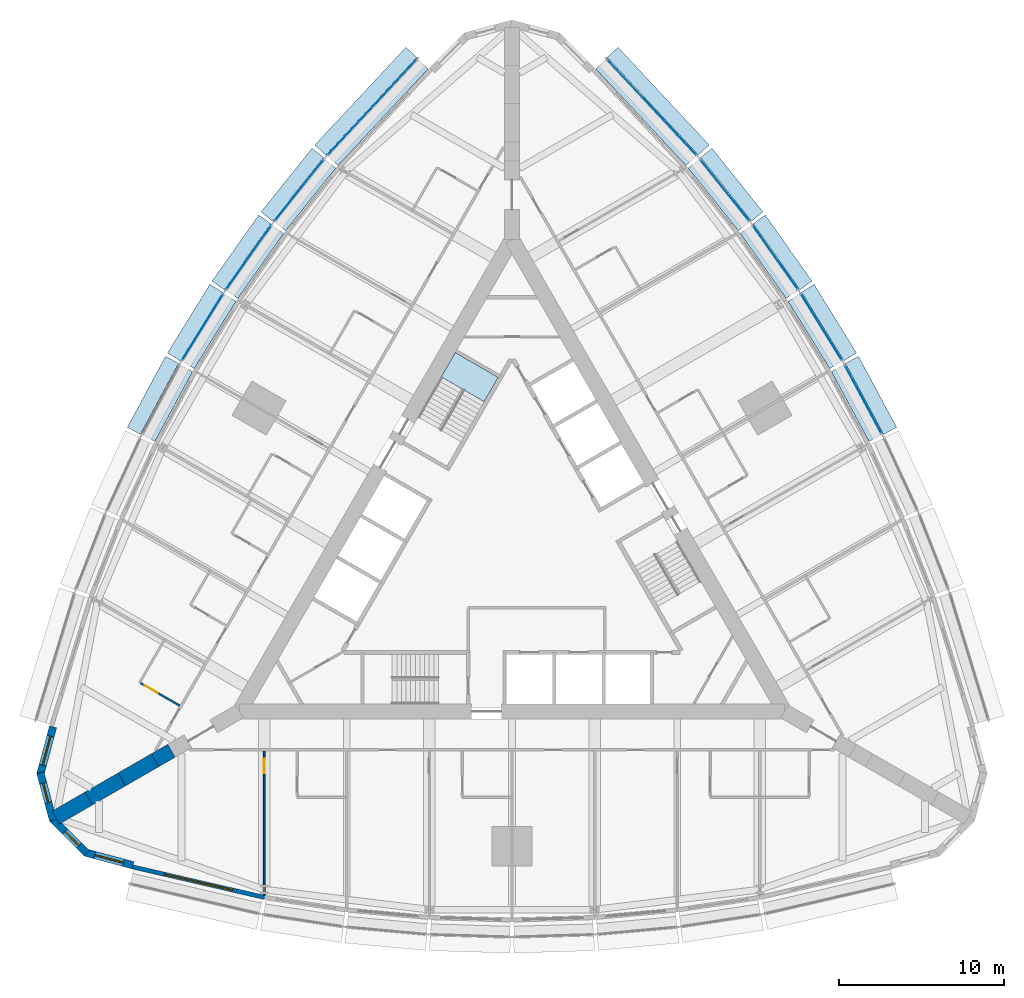
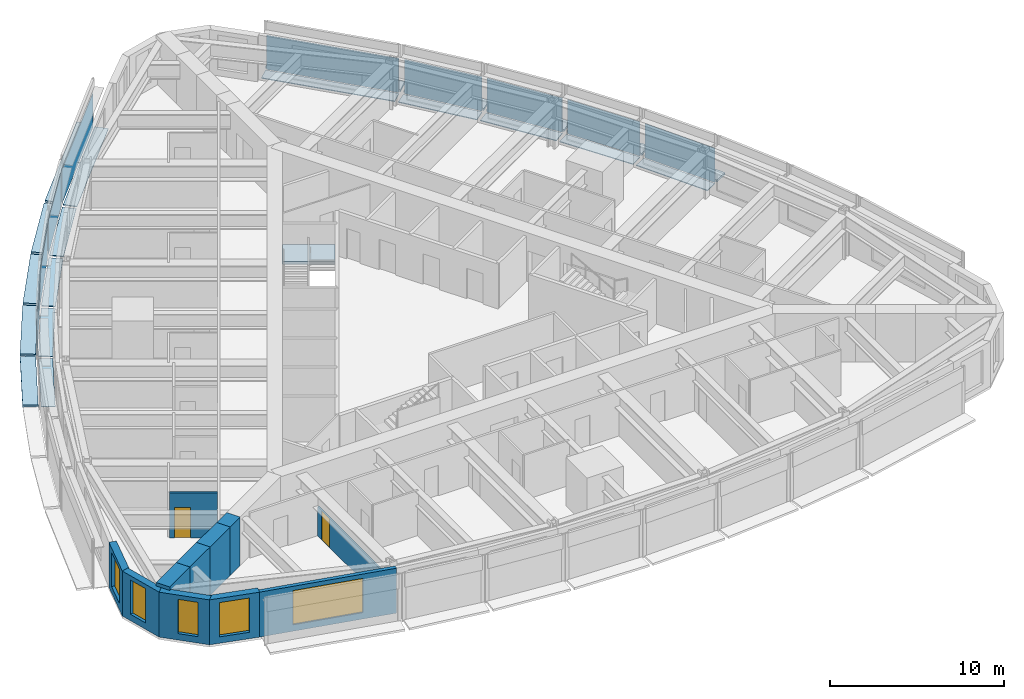
# One storey, part 7 of 14: 29 plates, 11 walls, 5 windows, 2 doors, 1 slab, 7 openings, 10 elements without a shape of their own.
"""IFC4 building model written with IfcOpenShell, lengths in metres."""

from ifc_helpers import new_model, si_unit, direction, frame, frame_2d, origin, origin_2d, place, context, subcontext, project, spatial, polyline, rectangle, outline, extrude, material, layer, layer_set, type_object, element, fill, aggregate, save


model = new_model("IFC4")

# Units and contexts
model_context = context("Model", 3, precision=1e-05, world=origin(), true_north=direction((0.0, 1.0)))
body_context = subcontext(model_context, "Body", "Model", "MODEL_VIEW")
ifc_project = project(units=[si_unit("LENGTHUNIT", "METRE"), si_unit("AREAUNIT", "SQUARE_METRE"), si_unit("VOLUMEUNIT", "CUBIC_METRE"), si_unit("PLANEANGLEUNIT", "RADIAN"), si_unit("MASSUNIT", "GRAM", prefix="KILO")], contexts=[model_context])

# Site, building, storey
site_placement = place(None, origin())
site = spatial("IfcSite", under=ifc_project, at=site_placement, CompositionType="ELEMENT")
building_placement = place(site_placement, origin())
building = spatial("IfcBuilding", under=site, at=building_placement, Name="Trikona Tower", CompositionType="ELEMENT")
storey_placement = place(building_placement, frame((0.0, 0.0, 99.89990234375)))
storey = spatial("IfcBuildingStorey", under=building, at=storey_placement, Name="L26", CompositionType="ELEMENT", Elevation=99.89990234375)

# Plates
ifc_material_1 = material(Name="Aluminium bar grating", Category="aluminium")
ifc_layer_1 = layer(ifc_material_1, 0.050048828125)
ifc_layer_set_1 = layer_set([ifc_layer_1], Name="Cavity catwalk grating")
plate_type_1 = type_object("IfcPlateType", Name="Cavity catwalk grating", PredefinedType="USERDEFINED", material=ifc_layer_set_1)
for number, where, z_axis, x_axis, name in (
    (1, (20.833740234375, 9.127197265625, -0.0498046875), (0.0, 0.0, 1.0), (-0.473422672721, 0.880835383572, 0.0), "Cavity catwalk L26-15"),
    (2, (18.3212890625, 13.47900390625, -0.0498046875), (0.0, 0.0, 1.0), (-0.526118935114, 0.85041099835, 0.0), "Cavity catwalk L26-16"),
):
    element("IfcPlate", number, at=place(storey_placement, frame(where, z_axis=z_axis, x_axis=x_axis)), inside=storey, type_object=plate_type_1, Name=name, ObjectType="CATWALK GRATING", PredefinedType="USERDEFINED", context=body_context, shape_type="SweptSolid", body=[
        extrude(rectangle(XDim=4.80224609375, YDim=0.820068359375, at=origin_2d()), origin(), (0.0, 0.0, 1.0), 0.050048828125),
    ])
plate_1_placement = place(storey_placement, frame((15.544189453125, 17.677734375, -0.0498046875), z_axis=(0.0, 0.0, 1.0), x_axis=(-0.576661909499, 0.816982889743, 0.0)))
element("IfcPlate", 3, at=plate_1_placement, inside=storey, type_object=plate_type_1, Name="Cavity catwalk L26-17", ObjectType="CATWALK GRATING", PredefinedType="USERDEFINED", context=body_context, shape_type="SweptSolid", body=[
    extrude(rectangle(XDim=4.82080078125, YDim=0.820068359375, at=origin_2d()), origin(), (0.0, 0.0, 1.0), 0.050048828125),
])
plate_2_placement = place(storey_placement, frame((12.502197265625, 21.72314453125, -0.0498046875), z_axis=(0.0, 0.0, 1.0), x_axis=(-0.624603618277, 0.780941944087, 0.0)))
element("IfcPlate", 4, at=plate_2_placement, inside=storey, type_object=plate_type_1, Name="Cavity catwalk L26-18", ObjectType="CATWALK GRATING", PredefinedType="USERDEFINED", context=body_context, shape_type="SweptSolid", body=[
    extrude(rectangle(XDim=4.857666015625, YDim=0.820068359375, at=origin_2d()), origin(), (0.0, 0.0, 1.0), 0.050048828125),
])
for number, where, z_axis, x_axis, name in (
    (5, (8.10107421875, 26.72314453125, -0.0498046875), (0.0, 0.0, 1.0), (-0.682298269147, 0.731073916864, 0.0), "Cavity catwalk L26-19"),
    (6, (-8.10107421875, 26.72314453125, -0.0498046875), (0.0, 0.0, 1.0), (-0.682298269147, -0.731073916864, 0.0), "Cavity catwalk L26-24"),
):
    element("IfcPlate", number, at=place(storey_placement, frame(where, z_axis=z_axis, x_axis=x_axis)), inside=storey, type_object=plate_type_1, Name=name, ObjectType="CATWALK GRATING", PredefinedType="USERDEFINED", context=body_context, shape_type="SweptSolid", body=[
        extrude(rectangle(XDim=8.01123046875, YDim=0.820068359375, at=origin_2d()), origin(), (0.0, 0.0, 1.0), 0.050048828125),
    ])
plate_3_placement = place(storey_placement, frame((-12.502197265625, 21.72314453125, -0.0498046875), z_axis=(0.0, 0.0, 1.0), x_axis=(-0.624603618277, -0.780941944087, 0.0)))
element("IfcPlate", 7, at=plate_3_placement, inside=storey, type_object=plate_type_1, Name="Cavity catwalk L26-25", ObjectType="CATWALK GRATING", PredefinedType="USERDEFINED", context=body_context, shape_type="SweptSolid", body=[
    extrude(rectangle(XDim=4.857666015625, YDim=0.820068359375, at=origin_2d()), origin(), (0.0, 0.0, 1.0), 0.050048828125),
])
plate_4_placement = place(storey_placement, frame((-15.544189453125, 17.677734375, -0.0498046875), z_axis=(0.0, 0.0, 1.0), x_axis=(-0.576661909499, -0.816982889743, 0.0)))
element("IfcPlate", 8, at=plate_4_placement, inside=storey, type_object=plate_type_1, Name="Cavity catwalk L26-26", ObjectType="CATWALK GRATING", PredefinedType="USERDEFINED", context=body_context, shape_type="SweptSolid", body=[
    extrude(rectangle(XDim=4.82080078125, YDim=0.820068359375, at=origin_2d()), origin(), (0.0, 0.0, 1.0), 0.050048828125),
])
for number, where, z_axis, x_axis, name in (
    (9, (-18.3212890625, 13.47900390625, -0.0498046875), (0.0, 0.0, 1.0), (-0.526118935114, -0.85041099835, 0.0), "Cavity catwalk L26-27"),
    (10, (-20.833740234375, 9.127197265625, -0.0498046875), (0.0, 0.0, 1.0), (-0.473422672721, -0.880835383572, 0.0), "Cavity catwalk L26-28"),
):
    element("IfcPlate", number, at=place(storey_placement, frame(where, z_axis=z_axis, x_axis=x_axis)), inside=storey, type_object=plate_type_1, Name=name, ObjectType="CATWALK GRATING", PredefinedType="USERDEFINED", context=body_context, shape_type="SweptSolid", body=[
        extrude(rectangle(XDim=4.80224609375, YDim=0.820068359375, at=origin_2d()), origin(), (0.0, 0.0, 1.0), 0.050048828125),
    ])

# Curtain wall, plate
ifc_material_2 = material(Name="Aluminium curtain wall system", Category="aluminium")
curtain_wall_type = type_object("IfcCurtainWallType", Name="Curtain wall DS1S", PredefinedType="NOTDEFINED", material=ifc_material_2)
curtain_wall_1_placement = place(storey_placement, origin())
curtain_wall_1 = element("IfcCurtainWall", 11, at=curtain_wall_1_placement, inside=storey, type_object=curtain_wall_type, Name="Curtain wall DS1S L26", PredefinedType="NOTDEFINED")
ifc_material_3 = material(Name="Laminated clear glass", Category="glass")
ifc_layer_2 = layer(ifc_material_3, 0.028076171875)
ifc_layer_set_2 = layer_set([ifc_layer_2], Name="Glass panel DS1S")
plate_type_2 = type_object("IfcPlateType", Name="Glass panel DS1S", PredefinedType="CURTAIN_PANEL", material=ifc_layer_set_2)
plate_5_placement = place(storey_placement, frame((21.265380859375, 9.359130859375, 0.000244140625), z_axis=(0.0, 0.0, 1.0), x_axis=(-0.473408350896, 0.880843080975, 0.0)))
plate_5 = element("IfcPlate", 12, at=plate_5_placement, type_object=plate_type_2, Name="CW-DS1S panel 1.1", PredefinedType="CURTAIN_PANEL", context=body_context, shape_type="SweptSolid", body=[
    extrude(rectangle(XDim=4.72216796875, YDim=0.028076171875, at=origin_2d()), origin(), (0.0, 0.0, 1.0), 2.39990234375),
])
aggregate(curtain_wall_1, [plate_5])

curtain_wall_2_placement = place(storey_placement, origin())
curtain_wall_2 = element("IfcCurtainWall", 13, at=curtain_wall_2_placement, inside=storey, type_object=curtain_wall_type, Name="Curtain wall DS1S L26", PredefinedType="NOTDEFINED")
plate_6_placement = place(storey_placement, frame((18.738037109375, 13.73681640625, 0.000244140625), z_axis=(0.0, 0.0, 1.0), x_axis=(-0.526119790842, 0.850410468941, 0.0)))
plate_6 = element("IfcPlate", 14, at=plate_6_placement, type_object=plate_type_2, Name="CW-DS1S panel 1.1", PredefinedType="CURTAIN_PANEL", context=body_context, shape_type="SweptSolid", body=[
    extrude(rectangle(XDim=4.722412109375, YDim=0.028076171875, at=origin_2d()), origin(), (0.0, 0.0, 1.0), 2.39990234375),
])
aggregate(curtain_wall_2, [plate_6])

curtain_wall_3_placement = place(storey_placement, origin())
curtain_wall_3 = element("IfcCurtainWall", 15, at=curtain_wall_3_placement, inside=storey, type_object=curtain_wall_type, Name="Curtain wall DS1S L26", PredefinedType="NOTDEFINED")
plate_7_placement = place(storey_placement, frame((15.9443359375, 17.960205078125, 0.000244140625), z_axis=(0.0, 0.0, 1.0), x_axis=(-0.576658362928, 0.816985393055, 0.0)))
plate_7 = element("IfcPlate", 16, at=plate_7_placement, type_object=plate_type_2, Name="CW-DS1S panel 1.1", PredefinedType="CURTAIN_PANEL", context=body_context, shape_type="SweptSolid", body=[
    extrude(rectangle(XDim=4.74072265625, YDim=0.028076171875, at=origin_2d()), origin(), (0.0, 0.0, 1.0), 2.39990234375),
])
aggregate(curtain_wall_3, [plate_7])

curtain_wall_4_placement = place(storey_placement, origin())
curtain_wall_4 = element("IfcCurtainWall", 17, at=curtain_wall_4_placement, inside=storey, type_object=curtain_wall_type, Name="Curtain wall DS1S L26", PredefinedType="NOTDEFINED")
plate_8_placement = place(storey_placement, frame((12.884765625, 22.029296875, 0.000244140625), z_axis=(0.0, 0.0, 1.0), x_axis=(-0.624608599951, 0.780937959679, 0.0)))
plate_8 = element("IfcPlate", 18, at=plate_8_placement, type_object=plate_type_2, Name="CW-DS1S panel 1.1", PredefinedType="CURTAIN_PANEL", context=body_context, shape_type="SweptSolid", body=[
    extrude(rectangle(XDim=4.777587890625, YDim=0.028076171875, at=origin_2d()), origin(), (0.0, 0.0, 1.0), 2.39990234375),
])
aggregate(curtain_wall_4, [plate_8])

curtain_wall_5_placement = place(storey_placement, origin())
curtain_wall_5 = element("IfcCurtainWall", 19, at=curtain_wall_5_placement, inside=storey, type_object=curtain_wall_type, Name="Curtain wall DS1S L26", PredefinedType="NOTDEFINED")
plate_9_placement = place(storey_placement, frame((8.459228515625, 27.057373046875, 0.000244140625), z_axis=(0.0, 0.0, 1.0), x_axis=(-0.682295351967, 0.731076639405, 0.0)))
plate_9 = element("IfcPlate", 20, at=plate_9_placement, type_object=plate_type_2, Name="CW-DS1S panel 1.1", PredefinedType="CURTAIN_PANEL", context=body_context, shape_type="SweptSolid", body=[
    extrude(rectangle(XDim=7.93115234375, YDim=0.028076171875, at=origin_2d()), origin(), (0.0, 0.0, 1.0), 2.39990234375),
])
aggregate(curtain_wall_5, [plate_9])

curtain_wall_6_placement = place(storey_placement, origin())
curtain_wall_6 = element("IfcCurtainWall", 21, at=curtain_wall_6_placement, inside=storey, type_object=curtain_wall_type, Name="Curtain wall DS1S L26", PredefinedType="NOTDEFINED")
plate_10_placement = place(storey_placement, frame((-8.459228515625, 27.057373046875, 0.000244140625), z_axis=(0.0, 0.0, 1.0), x_axis=(-0.682295351967, -0.731076639405, 0.0)))
plate_10 = element("IfcPlate", 22, at=plate_10_placement, type_object=plate_type_2, Name="CW-DS1S panel 1.1", PredefinedType="CURTAIN_PANEL", context=body_context, shape_type="SweptSolid", body=[
    extrude(rectangle(XDim=7.93115234375, YDim=0.028076171875, at=origin_2d()), origin(), (0.0, 0.0, 1.0), 2.39990234375),
])
aggregate(curtain_wall_6, [plate_10])

curtain_wall_7_placement = place(storey_placement, origin())
curtain_wall_7 = element("IfcCurtainWall", 23, at=curtain_wall_7_placement, inside=storey, type_object=curtain_wall_type, Name="Curtain wall DS1S L26", PredefinedType="NOTDEFINED")
plate_11_placement = place(storey_placement, frame((-12.884765625, 22.029296875, 0.000244140625), z_axis=(0.0, 0.0, 1.0), x_axis=(-0.624608599951, -0.780937959679, 0.0)))
plate_11 = element("IfcPlate", 24, at=plate_11_placement, type_object=plate_type_2, Name="CW-DS1S panel 1.1", PredefinedType="CURTAIN_PANEL", context=body_context, shape_type="SweptSolid", body=[
    extrude(rectangle(XDim=4.777587890625, YDim=0.028076171875, at=origin_2d()), origin(), (0.0, 0.0, 1.0), 2.39990234375),
])
aggregate(curtain_wall_7, [plate_11])

curtain_wall_8_placement = place(storey_placement, origin())
curtain_wall_8 = element("IfcCurtainWall", 25, at=curtain_wall_8_placement, inside=storey, type_object=curtain_wall_type, Name="Curtain wall DS1S L26", PredefinedType="NOTDEFINED")
plate_12_placement = place(storey_placement, frame((-15.9443359375, 17.960205078125, 0.000244140625), z_axis=(0.0, 0.0, 1.0), x_axis=(-0.576658362928, -0.816985393055, 0.0)))
plate_12 = element("IfcPlate", 26, at=plate_12_placement, type_object=plate_type_2, Name="CW-DS1S panel 1.1", PredefinedType="CURTAIN_PANEL", context=body_context, shape_type="SweptSolid", body=[
    extrude(rectangle(XDim=4.74072265625, YDim=0.028076171875, at=origin_2d()), origin(), (0.0, 0.0, 1.0), 2.39990234375),
])
aggregate(curtain_wall_8, [plate_12])

curtain_wall_9_placement = place(storey_placement, origin())
curtain_wall_9 = element("IfcCurtainWall", 27, at=curtain_wall_9_placement, inside=storey, type_object=curtain_wall_type, Name="Curtain wall DS1S L26", PredefinedType="NOTDEFINED")
plate_13_placement = place(storey_placement, frame((-18.738037109375, 13.73681640625, 0.000244140625), z_axis=(0.0, 0.0, 1.0), x_axis=(-0.526119790842, -0.850410468941, 0.0)))
plate_13 = element("IfcPlate", 28, at=plate_13_placement, type_object=plate_type_2, Name="CW-DS1S panel 1.1", PredefinedType="CURTAIN_PANEL", context=body_context, shape_type="SweptSolid", body=[
    extrude(rectangle(XDim=4.722412109375, YDim=0.028076171875, at=origin_2d()), origin(), (0.0, 0.0, 1.0), 2.39990234375),
])
aggregate(curtain_wall_9, [plate_13])

# Plates
ifc_material_4 = material(Name="Aluminium plate fin, pale anodised, on stainless steel outriggers", Category="steel")
ifc_layer_3 = layer(ifc_material_4, 0.14990234375)
ifc_layer_set_3 = layer_set([ifc_layer_3], Name="Outer skin fin 900")
plate_type_3 = type_object("IfcPlateType", Name="Outer skin fin 900", PredefinedType="USERDEFINED", material=ifc_layer_set_3)
for number, where, z_axis, x_axis, name in (
    (29, (21.732421875, 9.610107421875, 0.000244140625), (0.0, 0.0, 1.0), (-0.473422672721, 0.880835383572, 0.0), "Outer skin fin L26-15"),
    (30, (19.188720703125, 14.015625, 0.000244140625), (0.0, 0.0, 1.0), (-0.526118935114, 0.85041099835, 0.0), "Outer skin fin L26-16"),
):
    element("IfcPlate", number, at=place(storey_placement, frame(where, z_axis=z_axis, x_axis=x_axis)), inside=storey, type_object=plate_type_3, Name=name, ObjectType="FIN", PredefinedType="USERDEFINED", context=body_context, shape_type="SweptSolid", body=[
        extrude(rectangle(XDim=4.88232421875, YDim=0.89990234375, at=origin_2d()), origin(), (0.0, 0.0, 1.0), 0.14990234375),
    ])
plate_14_placement = place(storey_placement, frame((16.37744140625, 18.265869140625, 0.000244140625), z_axis=(0.0, 0.0, 1.0), x_axis=(-0.576661909499, 0.816982889743, 0.0)))
element("IfcPlate", 31, at=plate_14_placement, inside=storey, type_object=plate_type_3, Name="Outer skin fin L26-17", ObjectType="FIN", PredefinedType="USERDEFINED", context=body_context, shape_type="SweptSolid", body=[
    extrude(rectangle(XDim=4.90087890625, YDim=0.89990234375, at=origin_2d()), origin(), (0.0, 0.0, 1.0), 0.14990234375),
])
plate_15_placement = place(storey_placement, frame((13.298583984375, 22.360107421875, 0.000244140625), z_axis=(0.0, 0.0, 1.0), x_axis=(-0.624603618277, 0.780941944087, 0.0)))
element("IfcPlate", 32, at=plate_15_placement, inside=storey, type_object=plate_type_3, Name="Outer skin fin L26-18", ObjectType="FIN", PredefinedType="USERDEFINED", context=body_context, shape_type="SweptSolid", body=[
    extrude(rectangle(XDim=4.9375, YDim=0.89990234375, at=origin_2d()), origin(), (0.0, 0.0, 1.0), 0.14990234375),
])
for number, where, z_axis, x_axis, name in (
    (33, (8.8466796875, 27.419189453125, 0.000244140625), (0.0, 0.0, 1.0), (-0.682298269147, 0.731073916864, 0.0), "Outer skin fin L26-19"),
    (34, (-8.8466796875, 27.419189453125, 0.000244140625), (0.0, 0.0, 1.0), (-0.682298269147, -0.731073916864, 0.0), "Outer skin fin L26-24"),
):
    element("IfcPlate", number, at=place(storey_placement, frame(where, z_axis=z_axis, x_axis=x_axis)), inside=storey, type_object=plate_type_3, Name=name, ObjectType="FIN", PredefinedType="USERDEFINED", context=body_context, shape_type="SweptSolid", body=[
        extrude(rectangle(XDim=8.09130859375, YDim=0.89990234375, at=origin_2d()), origin(), (0.0, 0.0, 1.0), 0.14990234375),
    ])
plate_16_placement = place(storey_placement, frame((-13.298583984375, 22.360107421875, 0.000244140625), z_axis=(0.0, 0.0, 1.0), x_axis=(-0.624603618277, -0.780941944087, 0.0)))
element("IfcPlate", 35, at=plate_16_placement, inside=storey, type_object=plate_type_3, Name="Outer skin fin L26-25", ObjectType="FIN", PredefinedType="USERDEFINED", context=body_context, shape_type="SweptSolid", body=[
    extrude(rectangle(XDim=4.9375, YDim=0.89990234375, at=origin_2d()), origin(), (0.0, 0.0, 1.0), 0.14990234375),
])
plate_17_placement = place(storey_placement, frame((-16.37744140625, 18.265869140625, 0.000244140625), z_axis=(0.0, 0.0, 1.0), x_axis=(-0.576661909499, -0.816982889743, 0.0)))
element("IfcPlate", 36, at=plate_17_placement, inside=storey, type_object=plate_type_3, Name="Outer skin fin L26-26", ObjectType="FIN", PredefinedType="USERDEFINED", context=body_context, shape_type="SweptSolid", body=[
    extrude(rectangle(XDim=4.90087890625, YDim=0.89990234375, at=origin_2d()), origin(), (0.0, 0.0, 1.0), 0.14990234375),
])
for number, where, z_axis, x_axis, name in (
    (37, (-19.188720703125, 14.015625, 0.000244140625), (0.0, 0.0, 1.0), (-0.526118935114, -0.85041099835, 0.0), "Outer skin fin L26-27"),
    (38, (-21.732421875, 9.610107421875, 0.000244140625), (0.0, 0.0, 1.0), (-0.473422672721, -0.880835383572, 0.0), "Outer skin fin L26-28"),
):
    element("IfcPlate", number, at=place(storey_placement, frame(where, z_axis=z_axis, x_axis=x_axis)), inside=storey, type_object=plate_type_3, Name=name, ObjectType="FIN", PredefinedType="USERDEFINED", context=body_context, shape_type="SweptSolid", body=[
        extrude(rectangle(XDim=4.88232421875, YDim=0.89990234375, at=origin_2d()), origin(), (0.0, 0.0, 1.0), 0.14990234375),
    ])

# Stair, slab
ifc_material_5 = material(Name="Concrete f'c 5000 psi", Category="concrete")
stair_type = type_object("IfcStairType", Name="Core stair", PredefinedType="HALF_TURN_STAIR", material=ifc_material_5)
stair_placement = place(storey_placement, origin())
stair = element("IfcStair", 39, at=stair_placement, inside=storey, type_object=stair_type, Name="Stair C L26", PredefinedType="HALF_TURN_STAIR")
ifc_material_6 = material(Name="Concrete f'c 5000 psi", Category="concrete")
ifc_layer_4 = layer(ifc_material_6, 0.199951171875)
ifc_layer_set_4 = layer_set([ifc_layer_4], Name="Stair landing 200")
slab_type = type_object("IfcSlabType", Name="Stair landing 200", PredefinedType="LANDING", material=ifc_layer_set_4)
slab_placement = place(storey_placement, frame((0.0, 0.0, 1.5)))
slab = element("IfcSlab", 40, at=slab_placement, type_object=slab_type, Name="ST-C landing 2", PredefinedType="LANDING", context=body_context, shape_type="SweptSolid", body=[
    extrude(outline(polyline([(-0.837158203125, 10.702392578125), (-1.688720703125, 9.2275390625), (-4.286865234375, 10.7275390625), (-3.435302734375, 12.202392578125), (-0.837158203125, 10.702392578125)])), origin(), (0.0, 0.0, 1.0), 0.2001953125),
])
aggregate(stair, [slab])

# Wall, opening, door
ifc_material_7 = material(Name="Metal stud and cement board", Category="gypsum")
ifc_layer_5 = layer(ifc_material_7, 0.1201171875)
ifc_layer_set_5 = layer_set([ifc_layer_5], Name="Bathroom wall 120")
wall_type_1 = type_object("IfcWallType", Name="Bathroom wall 120", PredefinedType="PLUMBINGWALL", material=ifc_layer_set_5)
wall_1_placement = place(storey_placement, frame((-20.10791015625, -9.17529296875, 0.0), z_axis=(0.0, 0.0, 1.0), x_axis=(-0.866035715982, 0.499982138324, 0.0)))
wall_1 = element("IfcWall", 41, at=wall_1_placement, inside=storey, type_object=wall_type_1, Name="Bathroom wall 2614", PredefinedType="PLUMBINGWALL", context=body_context, shape_type="SweptSolid", body=[
    extrude(rectangle(XDim=2.73974609375, YDim=0.1201171875, at=frame_2d((1.369873046875, 0.0))), origin(), (0.0, 0.0, 1.0), 3.150146484375),
])
opening_1_placement = place(wall_1_placement, frame((1.550048828125, 0.0, 0.0)))
opening_1 = element("IfcOpeningElement", 42, at=opening_1_placement, cuts=wall_1, Name="Opening D2", PredefinedType="OPENING", context=body_context, shape_type="SweptSolid", body=[
    extrude(rectangle(XDim=0.89990234375, YDim=2.1298828125, at=frame_2d((0.449951171875, 1.06494140625))), frame((0.0, 0.070068359375, 0.0), z_axis=(0.0, -1.0, 0.0), x_axis=(1.0, 0.0, 0.0)), (0.0, 0.0, 1.0), 0.14013671875),
])
ifc_material_8 = material(Name="Steel door frame with solid-core timber leaf", Category="steel")
door_type_1 = type_object("IfcDoorType", Name="Bathroom door 900x2130", OperationType="SLIDING_TO_LEFT", PredefinedType="DOOR", material=ifc_material_8)
door_1_placement = place(opening_1_placement, origin())
door_1 = element("IfcDoor", 43, at=door_1_placement, inside=storey, type_object=door_type_1, Name="Bathroom door 2614", OperationType="SLIDING_TO_LEFT", OverallHeight=2.1298828125, OverallWidth=0.89990234375, PredefinedType="DOOR", context=body_context, shape_type="SweptSolid", body=[
    extrude(rectangle(XDim=0.89990234375, YDim=2.1298828125, at=frame_2d((0.449951171875, 1.06494140625))), frame((0.0, 0.02490234375, 0.0), z_axis=(0.0, -1.0, 0.0), x_axis=(1.0, 0.0, 0.0)), (0.0, 0.0, 1.0), 0.050048828125),
])
fill(opening_1, door_1)

# Wall, opening, window
ifc_material_9 = material(Name="Brick-faced precast concrete", Category="masonry")
ifc_layer_6 = layer(ifc_material_9, 0.449951171875)
ifc_layer_set_6 = layer_set([ifc_layer_6], Name="Brick-faced corner wall 450")
wall_type_2 = type_object("IfcWallType", Name="Brick-faced corner wall 450", PredefinedType="SOLIDWALL", material=ifc_layer_set_6)
wall_2_placement = place(storey_placement, frame((-27.78271484375, -10.450439453125, 0.0), z_axis=(0.0, 0.0, 1.0), x_axis=(-0.258780998834, -0.965936019953, 0.0)))
wall_2 = element("IfcWall", 44, at=wall_2_placement, inside=storey, type_object=wall_type_2, Name="External wall L26-32", PredefinedType="SOLIDWALL", context=body_context, shape_type="SweptSolid", body=[
    extrude(rectangle(XDim=2.98876953125, YDim=0.449951171875, at=frame_2d((1.494384765625, 0.0))), origin(), (0.0, 0.0, 1.0), 3.150146484375),
])
opening_2_placement = place(wall_2_placement, frame((0.59423828125, 0.0, 0.449951171875)))
opening_2 = element("IfcOpeningElement", 45, at=opening_2_placement, cuts=wall_2, Name="Opening W1824", PredefinedType="OPENING", context=body_context, shape_type="SweptSolid", body=[
    extrude(rectangle(XDim=1.800048828125, YDim=2.39990234375, at=frame_2d((0.89990234375, 1.199951171875))), frame((0.0, 0.23486328125, 0.0), z_axis=(0.0, -1.0, 0.0), x_axis=(1.0, 0.0, 0.0)), (0.0, 0.0, 1.0), 0.469970703125),
])
ifc_material_10 = material(Name="Aluminium-framed double glazing", Category="aluminium")
window_type_1 = type_object("IfcWindowType", Name="Window 1800x2400", PartitioningType="SINGLE_PANEL", PredefinedType="WINDOW", material=ifc_material_10)
window_1_placement = place(opening_2_placement, origin())
window_1 = element("IfcWindow", 46, at=window_1_placement, inside=storey, type_object=window_type_1, Name="Window 2614", OverallHeight=2.39990234375, OverallWidth=1.800048828125, PartitioningType="SINGLE_PANEL", PredefinedType="WINDOW", context=body_context, shape_type="SweptSolid", body=[
    extrude(rectangle(XDim=1.800048828125, YDim=2.39990234375, at=frame_2d((0.89990234375, 1.199951171875))), frame((0.0, 0.030029296875, 0.0), z_axis=(0.0, -1.0, 0.0), x_axis=(1.0, 0.0, 0.0)), (0.0, 0.0, 1.0), 0.06005859375),
])
fill(opening_2, window_1)

wall_3_placement = place(storey_placement, frame((-28.55615234375, -13.220947265625, 0.0), z_axis=(0.0, 0.0, 1.0), x_axis=(0.258801419081, -0.965930548995, 0.0)))
wall_3 = element("IfcWall", 47, at=wall_3_placement, inside=storey, type_object=wall_type_2, Name="External wall L26-33", PredefinedType="SOLIDWALL", context=body_context, shape_type="SweptSolid", body=[
    extrude(outline(polyline([(2.988525390625, 0.22509765625), (2.928955078125, 0.22509765625), (2.437255859375, 0.09326171875), (2.402099609375, 0.22509765625), (0.0, 0.22509765625), (0.0, -0.22509765625), (2.988525390625, -0.22509765625), (2.988525390625, 0.22509765625)])), origin(), (0.0, 0.0, 1.0), 3.150146484375),
])
opening_3_placement = place(wall_3_placement, frame((0.676025390625, 0.0, 0.449951171875)))
opening_3 = element("IfcOpeningElement", 48, at=opening_3_placement, cuts=wall_3, Name="Opening W1224", PredefinedType="OPENING", context=body_context, shape_type="SweptSolid", body=[
    extrude(rectangle(XDim=1.199951171875, YDim=2.39990234375, at=frame_2d((0.60009765625, 1.199951171875))), frame((0.0, 0.23486328125, 0.0), z_axis=(0.0, -1.0, 0.0), x_axis=(1.0, 0.0, 0.0)), (0.0, 0.0, 1.0), 0.469970703125),
])
ifc_material_11 = material(Name="Aluminium-framed double glazing", Category="aluminium")
window_type_2 = type_object("IfcWindowType", Name="Window 1200x2400", PartitioningType="SINGLE_PANEL", PredefinedType="WINDOW", material=ifc_material_11)
window_2_placement = place(opening_3_placement, origin())
window_2 = element("IfcWindow", 49, at=window_2_placement, inside=storey, type_object=window_type_2, Name="Window 2614", OverallHeight=2.39990234375, OverallWidth=1.199951171875, PartitioningType="SINGLE_PANEL", PredefinedType="WINDOW", context=body_context, shape_type="SweptSolid", body=[
    extrude(rectangle(XDim=1.199951171875, YDim=2.39990234375, at=frame_2d((0.60009765625, 1.199951171875))), frame((0.0, 0.030029296875, 0.0), z_axis=(0.0, -1.0, 0.0), x_axis=(1.0, 0.0, 0.0)), (0.0, 0.0, 1.0), 0.06005859375),
])
fill(opening_3, window_2)

wall_4_placement = place(storey_placement, frame((-27.8408203125, -16.006591796875, 0.0), z_axis=(0.0, 0.0, 1.0), x_axis=(0.707025086683, -0.707188466253, 0.0)))
wall_4 = element("IfcWall", 50, at=wall_4_placement, inside=storey, type_object=wall_type_2, Name="External wall L26-34", PredefinedType="SOLIDWALL", context=body_context, shape_type="SweptSolid", body=[
    extrude(outline(polyline([(2.988525390625, 0.22509765625), (0.58642578125, 0.22509765625), (0.551025390625, 0.093017578125), (0.058837890625, 0.22509765625), (0.0, 0.22509765625), (0.0, -0.22509765625), (2.988525390625, -0.22509765625), (2.988525390625, 0.22509765625)])), origin(), (0.0, 0.0, 1.0), 3.150146484375),
])
opening_4_placement = place(wall_4_placement, frame((1.112548828125, 0.0, 0.449951171875)))
opening_4 = element("IfcOpeningElement", 51, at=opening_4_placement, cuts=wall_4, Name="Opening W1224", PredefinedType="OPENING", context=body_context, shape_type="SweptSolid", body=[
    extrude(rectangle(XDim=1.199951171875, YDim=2.39990234375, at=frame_2d((0.60009765625, 1.199951171875))), frame((0.0, 0.23486328125, 0.0), z_axis=(0.0, -1.0, 0.0), x_axis=(1.0, 0.0, 0.0)), (0.0, 0.0, 1.0), 0.469970703125),
])
window_3_placement = place(opening_4_placement, origin())
window_3 = element("IfcWindow", 52, at=window_3_placement, inside=storey, type_object=window_type_2, Name="Window 2601", OverallHeight=2.39990234375, OverallWidth=1.199951171875, PartitioningType="SINGLE_PANEL", PredefinedType="WINDOW", context=body_context, shape_type="SweptSolid", body=[
    extrude(rectangle(XDim=1.199951171875, YDim=2.39990234375, at=frame_2d((0.60009765625, 1.199951171875))), frame((0.0, 0.030029296875, 0.0), z_axis=(0.0, -1.0, 0.0), x_axis=(1.0, 0.0, 0.0)), (0.0, 0.0, 1.0), 0.06005859375),
])
fill(opening_4, window_3)

wall_5_placement = place(storey_placement, frame((-25.82861328125, -18.061767578125, 0.0), z_axis=(0.0, 0.0, 1.0), x_axis=(0.965930548995, -0.258801419081, 0.0)))
wall_5 = element("IfcWall", 53, at=wall_5_placement, inside=storey, type_object=wall_type_2, Name="External wall L26-35", PredefinedType="SOLIDWALL", context=body_context, shape_type="SweptSolid", body=[
    extrude(rectangle(XDim=2.988525390625, YDim=0.449951171875, at=frame_2d((1.494140625, 0.0))), origin(), (0.0, 0.0, 1.0), 3.150146484375),
])
opening_5_placement = place(wall_5_placement, frame((0.59423828125, 0.0, 0.449951171875)))
opening_5 = element("IfcOpeningElement", 54, at=opening_5_placement, cuts=wall_5, Name="Opening W1824", PredefinedType="OPENING", context=body_context, shape_type="SweptSolid", body=[
    extrude(rectangle(XDim=1.800048828125, YDim=2.39990234375, at=frame_2d((0.89990234375, 1.199951171875))), frame((0.0, 0.23486328125, 0.0), z_axis=(0.0, -1.0, 0.0), x_axis=(1.0, 0.0, 0.0)), (0.0, 0.0, 1.0), 0.469970703125),
])
window_4_placement = place(opening_5_placement, origin())
window_4 = element("IfcWindow", 55, at=window_4_placement, inside=storey, type_object=window_type_1, Name="Window 2601", OverallHeight=2.39990234375, OverallWidth=1.800048828125, PartitioningType="SINGLE_PANEL", PredefinedType="WINDOW", context=body_context, shape_type="SweptSolid", body=[
    extrude(rectangle(XDim=1.800048828125, YDim=2.39990234375, at=frame_2d((0.89990234375, 1.199951171875))), frame((0.0, 0.030029296875, 0.0), z_axis=(0.0, -1.0, 0.0), x_axis=(1.0, 0.0, 0.0)), (0.0, 0.0, 1.0), 0.06005859375),
])
fill(opening_5, window_4)

# Walls
ifc_material_12 = material(Name="Concrete f'c 10000 psi", Category="concrete")
ifc_layer_7 = layer(ifc_material_12, 0.89990234375)
ifc_layer_set_7 = layer_set([ifc_layer_7], Name="Buttress wall 900")
wall_type_3 = type_object("IfcWallType", Name="Buttress wall 900", PredefinedType="SHEAR", material=ifc_layer_set_7)
wall_6_placement = place(storey_placement, frame((-20.6103515625, -11.8994140625, 0.0), z_axis=(0.0, 0.0, 1.0), x_axis=(-0.866009537788, -0.500027479704, 0.0)))
element("IfcWall", 56, at=wall_6_placement, inside=storey, type_object=wall_type_3, Name="Buttress wall 3 part 2", PredefinedType="SHEAR", context=body_context, shape_type="SweptSolid", body=[
    extrude(rectangle(XDim=1.15478515625, YDim=0.89990234375, at=frame_2d((0.577392578125, 0.0))), origin(), (0.0, 0.0, 1.0), 3.400146484375),
])
for number, where, z_axis, x_axis, name in (
    (57, (-21.6103515625, -12.476806640625, 0.0), (0.0, 0.0, 1.0), (-0.866055313784, -0.499948190782, 0.0), "Buttress wall 3 part 3"),
    (58, (-23.6103515625, -13.63134765625, 0.0), (0.0, 0.0, 1.0), (-0.866009537788, -0.500027479704, 0.0), "Buttress wall 3 part 4"),
    (59, (-25.6103515625, -14.7861328125, 0.0), (0.0, 0.0, 1.0), (-0.866009537788, -0.500027479704, 0.0), "Buttress wall 3 part 5"),
):
    element("IfcWall", number, at=place(storey_placement, frame(where, z_axis=z_axis, x_axis=x_axis)), inside=storey, type_object=wall_type_3, Name=name, PredefinedType="SHEAR", context=body_context, shape_type="SweptSolid", body=[
        extrude(rectangle(XDim=2.309326171875, YDim=0.89990234375, at=frame_2d((1.15478515625, 0.0))), origin(), (0.0, 0.0, 1.0), 3.400146484375),
    ])

# Wall, opening, window
ifc_material_13 = material(Name="Insulated precast concrete spandrel panel", Category="concrete")
ifc_layer_8 = layer(ifc_material_13, 0.25)
ifc_layer_set_8 = layer_set([ifc_layer_8], Name="Inner skin wall 250")
wall_type_4 = type_object("IfcWallType", Name="Inner skin wall 250", PredefinedType="STANDARD", material=ifc_layer_set_8)
wall_7_placement = place(storey_placement, frame((-22.9716796875, -18.930908203125, 0.0), z_axis=(0.0, 0.0, 1.0), x_axis=(0.974279327392, -0.225343720163, 0.0)))
wall_7 = element("IfcWall", 60, at=wall_7_placement, inside=storey, type_object=wall_type_4, Name="External wall L26-00", PredefinedType="STANDARD", context=body_context, shape_type="SweptSolid", body=[
    extrude(rectangle(XDim=8.211181640625, YDim=0.25, at=frame_2d((4.10546875, 0.0))), origin(), (0.0, 0.0, 1.0), 3.150146484375),
])
opening_6_placement = place(wall_7_placement, frame((2.005615234375, 0.0, 0.449951171875)))
opening_6 = element("IfcOpeningElement", 61, at=opening_6_placement, cuts=wall_7, Name="Opening W4224", PredefinedType="OPENING", context=body_context, shape_type="SweptSolid", body=[
    extrude(rectangle(XDim=4.199951171875, YDim=2.39990234375, at=frame_2d((2.10009765625, 1.199951171875))), frame((0.0, 0.135009765625, 0.0), z_axis=(0.0, -1.0, 0.0), x_axis=(1.0, 0.0, 0.0)), (0.0, 0.0, 1.0), 0.27001953125),
])
ifc_material_14 = material(Name="Aluminium-framed double glazing", Category="aluminium")
window_type_3 = type_object("IfcWindowType", Name="Window 4200x2400", PartitioningType="SINGLE_PANEL", PredefinedType="WINDOW", material=ifc_material_14)
window_5_placement = place(opening_6_placement, origin())
window_5 = element("IfcWindow", 62, at=window_5_placement, inside=storey, type_object=window_type_3, Name="Window 2601", OverallHeight=2.39990234375, OverallWidth=4.199951171875, PartitioningType="SINGLE_PANEL", PredefinedType="WINDOW", context=body_context, shape_type="SweptSolid", body=[
    extrude(rectangle(XDim=4.199951171875, YDim=2.39990234375, at=frame_2d((2.10009765625, 1.199951171875))), frame((0.0, 0.030029296875, 0.0), z_axis=(0.0, -1.0, 0.0), x_axis=(1.0, 0.0, 0.0)), (0.0, 0.0, 1.0), 0.06005859375),
])
fill(opening_6, window_5)

# Wall, opening, door
ifc_material_15 = material(Name="Metal stud and gypsum board, acoustic", Category="gypsum")
ifc_layer_9 = layer(ifc_material_15, 0.10009765625)
ifc_layer_set_9 = layer_set([ifc_layer_9], Name="Suite partition 100")
wall_type_5 = type_object("IfcWallType", Name="Suite partition 100", PredefinedType="PARTITIONING", material=ifc_layer_set_9)
wall_8_placement = place(storey_placement, frame((-15.0, -11.92626953125, 0.0), z_axis=(0.0, 0.0, 1.0), x_axis=(0.0, -1.0, 0.0)))
wall_8 = element("IfcWall", 63, at=wall_8_placement, inside=storey, type_object=wall_type_5, Name="Suite partition L26 F1 u-15", PredefinedType="PARTITIONING", context=body_context, shape_type="SweptSolid", body=[
    extrude(rectangle(XDim=8.72021484375, YDim=0.10009765625, at=frame_2d((4.360107421875, 0.0))), origin(), (0.0, 0.0, 1.0), 2.050048828125),
])
opening_7_placement = place(wall_8_placement, frame((0.449951171875, 0.0, 0.0)))
opening_7 = element("IfcOpeningElement", 64, at=opening_7_placement, cuts=wall_8, Name="Opening D16", PredefinedType="OPENING", context=body_context, shape_type="SweptSolid", body=[
    extrude(rectangle(XDim=0.89990234375, YDim=2.031982421875, at=frame_2d((0.449951171875, 1.01611328125))), frame((0.0, 0.06005859375, 0.0), z_axis=(0.0, -1.0, 0.0), x_axis=(1.0, 0.0, 0.0)), (0.0, 0.0, 1.0), 0.1201171875),
])
ifc_material_16 = material(Name="Steel door frame with solid-core timber leaf", Category="steel")
door_type_2 = type_object("IfcDoorType", Name="Suite door 900x2032", OperationType="SINGLE_SWING_LEFT", PredefinedType="DOOR", material=ifc_material_16)
door_2_placement = place(opening_7_placement, origin())
door_2 = element("IfcDoor", 65, at=door_2_placement, inside=storey, type_object=door_type_2, Name="Suite door 2601", OperationType="SINGLE_SWING_LEFT", OverallHeight=2.031982421875, OverallWidth=0.89990234375, PredefinedType="DOOR", context=body_context, shape_type="SweptSolid", body=[
    extrude(rectangle(XDim=0.89990234375, YDim=2.031982421875, at=frame_2d((0.449951171875, 1.01611328125))), frame((0.0, 0.02490234375, 0.0), z_axis=(0.0, -1.0, 0.0), x_axis=(1.0, 0.0, 0.0)), (0.0, 0.0, 1.0), 0.050048828125),
])
fill(opening_7, door_2)

save(model, "model.ifc")
